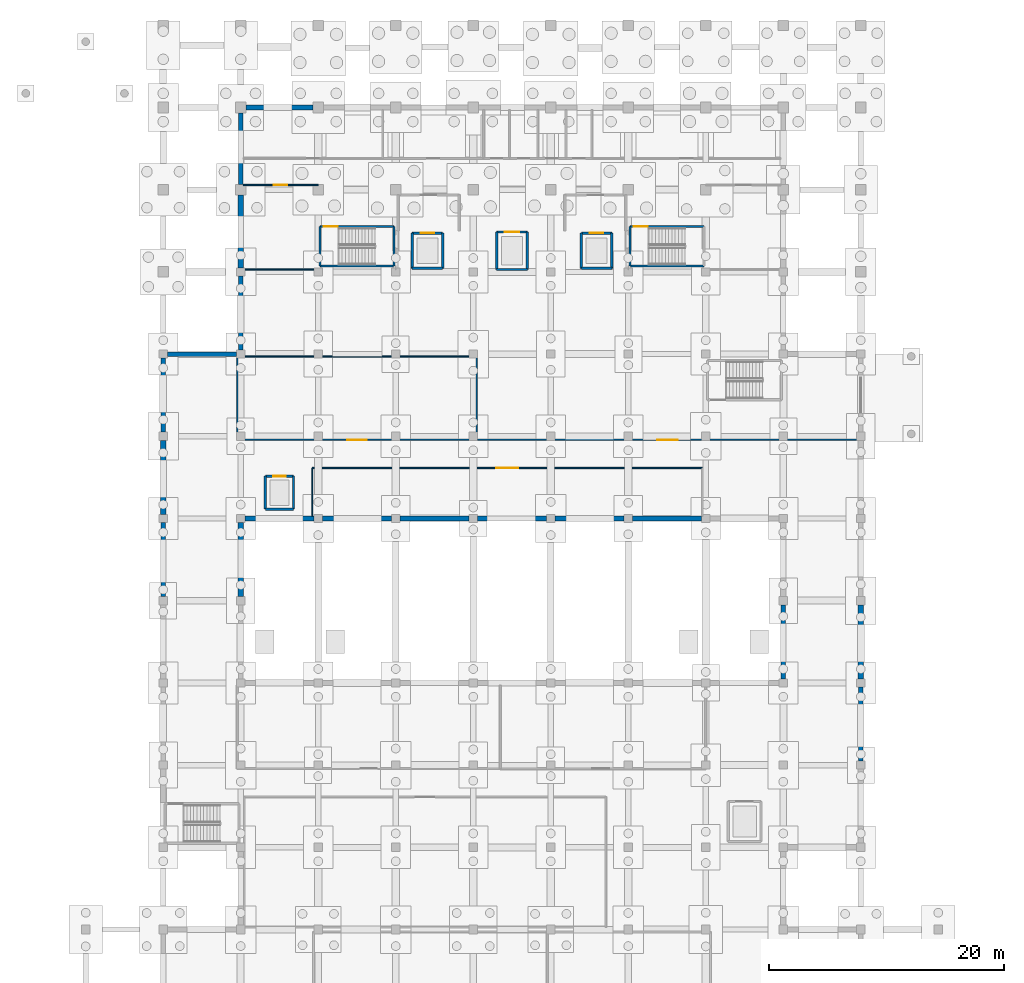
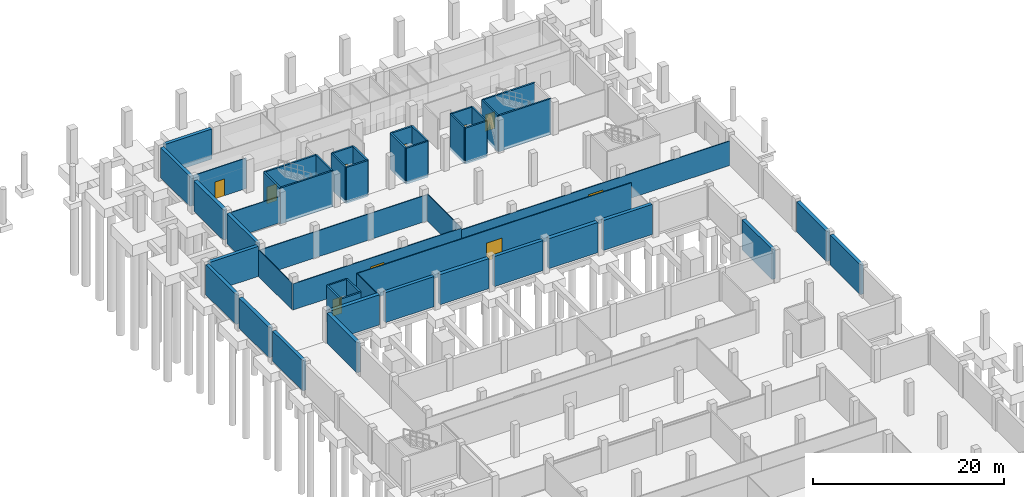
# One storey, part 18 of 27: 50 walls, 10 doors, 10 openings.
"""IFC4 building model written with IfcOpenShell, lengths in metres."""

import ifcopenshell
import ifcopenshell.guid

model = None  # the IFC model being written
_history = None  # IfcOwnerHistory: only IFC2X3 demands one
_inside = {}  # id of a spatial element -> (the spatial element, [elements in it])
_under = {}  # id of a project, library or spatial element -> (it, [spatial elements below it])
_declared = {}  # id of a project -> (the project, [libraries it declares])
_typed = {}  # id of a type object -> (the type object, [elements of that type])
_made_of = {}  # id of a material, layer set ... -> (it, [elements and type objects made of it])


def new_model(schema):
    """Start an empty IFC model of exactly this schema.

    Asked for "IFC4X3", IfcOpenShell would pick the latest addendum, in which some entities
    have other attributes; the version numbers below select the first issue.
    IFC2X3 requires an IfcOwnerHistory on every rooted entity: one is made here for all.
    """
    global model, _history
    if schema == "IFC4X3":
        model = ifcopenshell.file(schema_version=(4, 3, 0, 0))
    else:
        model = ifcopenshell.file(schema=schema)
    _inside.clear()
    _under.clear()
    _declared.clear()
    _typed.clear()
    _made_of.clear()
    _history = None
    if model.schema == "IFC2X3":
        org = make("IfcOrganization", Name="unknown")
        user = make(
            "IfcPersonAndOrganization",
            ThePerson=make("IfcPerson", FamilyName="unknown"),
            TheOrganization=org,
        )
        app = make(
            "IfcApplication",
            ApplicationDeveloper=org,
            Version="unknown",
            ApplicationFullName="unknown",
            ApplicationIdentifier="unknown",
        )
        _history = make(
            "IfcOwnerHistory",
            OwningUser=user,
            OwningApplication=app,
            ChangeAction="ADDED",
            CreationDate=0,
        )
    return model


def make(cls, **values):
    """One entity of the class cls with the attributes given. An attribute that is None is left unset."""
    return model.create_entity(
        cls, **{name: value for name, value in values.items() if value is not None}
    )


def rooted(cls, **values):
    """An entity with a GlobalId (a new one), such as an element, a storey or a relation."""
    return make(cls, GlobalId=ifcopenshell.guid.new(), OwnerHistory=_history, **values)


def si_unit(unit_type, name, prefix=None):
    """IfcSIUnit, for example si_unit("LENGTHUNIT", "METRE", prefix="MILLI")."""
    return make("IfcSIUnit", UnitType=unit_type, Prefix=prefix, Name=name)


def assignment(units):
    """IfcUnitAssignment: the units of a project."""
    return None if units is None else make("IfcUnitAssignment", Units=units)


def point(xyz):
    """IfcCartesianPoint."""
    return None if xyz is None else make("IfcCartesianPoint", Coordinates=xyz)


def direction(xyz):
    """IfcDirection."""
    return None if xyz is None else make("IfcDirection", DirectionRatios=xyz)


def frame(location, z_axis=None, x_axis=None):
    """IfcAxis2Placement3D, a coordinate frame: its origin and axes. An axis left out is left unset."""
    return make(
        "IfcAxis2Placement3D",
        Location=point(location),
        Axis=direction(z_axis),
        RefDirection=direction(x_axis),
    )


def frame_2d(location, x_axis=None):
    """IfcAxis2Placement2D, a coordinate frame in the plane: its origin and x axis."""
    return make(
        "IfcAxis2Placement2D", Location=point(location), RefDirection=direction(x_axis)
    )


def origin():
    """The frame at (0, 0, 0) with its axes left unset."""
    return frame((0.0, 0.0, 0.0))


def place(relative_to, where):
    """IfcLocalPlacement: puts the frame where relative to a parent placement (None: the world)."""
    return make(
        "IfcLocalPlacement", PlacementRelTo=relative_to, RelativePlacement=where
    )


def context(
    kind, dimensions, precision=None, world=None, true_north=None, identifier=None
):
    """IfcGeometricRepresentationContext, for example the 3D "Model" context."""
    return make(
        "IfcGeometricRepresentationContext",
        ContextIdentifier=identifier,
        ContextType=kind,
        CoordinateSpaceDimension=dimensions,
        Precision=precision,
        WorldCoordinateSystem=world,
        TrueNorth=true_north,
    )


def subcontext(parent, identifier, kind, view, scale=None):
    """IfcGeometricRepresentationSubContext, for example "Body" below "Model"."""
    return make(
        "IfcGeometricRepresentationSubContext",
        ContextIdentifier=identifier,
        ContextType=kind,
        ParentContext=parent,
        TargetScale=scale,
        TargetView=view,
    )


def project(units=None, contexts=None):
    """IfcProject with its units and contexts."""
    return rooted(
        "IfcProject",
        Name="project",
        RepresentationContexts=contexts,
        UnitsInContext=assignment(units),
    )


def spatial(cls, under=None, at=None, **own):
    """A site, building, storey or space (cls), placed at a placement, below another one or the project."""
    s = rooted(cls, ObjectPlacement=at, **own)
    if under is not None:
        _under.setdefault(under.id(), (under, []))[1].append(s)
    return s


def profile(cls, at=None, kind="AREA", **sizes):
    """A parametric profile (cls). Its sizes go by their IFC names, for example OverallWidth=200.0."""
    return make(cls, ProfileType=kind, Position=at, **sizes)


def rectangle(**sizes):
    """IfcRectangleProfileDef."""
    return profile("IfcRectangleProfileDef", **sizes)


def extrude(swept, where, along, depth):
    """IfcExtrudedAreaSolid: the profile swept, set in the frame where, extruded along a direction by depth."""
    return make(
        "IfcExtrudedAreaSolid",
        SweptArea=swept,
        Position=where,
        ExtrudedDirection=direction(along),
        Depth=depth,
    )


def shape(context_of_items, identifier, shape_type, items):
    """IfcShapeRepresentation: the items that make up one representation, for example the "Body"."""
    return make(
        "IfcShapeRepresentation",
        ContextOfItems=context_of_items,
        RepresentationIdentifier=identifier,
        RepresentationType=shape_type,
        Items=items,
    )


def material(Name=None, Category=None):
    """IfcMaterial."""
    return make("IfcMaterial", Name=Name, Category=Category)


def layer(
    of_material, thickness, ventilated=None, Name=None, Category=None, Priority=None
):
    """IfcMaterialLayer: one layer of a wall or slab, of a material (None: an air gap)."""
    return make(
        "IfcMaterialLayer",
        Material=of_material,
        LayerThickness=thickness,
        IsVentilated=ventilated,
        Name=Name,
        Category=Category,
        Priority=Priority,
    )


def layer_set(layers, Name=None):
    """IfcMaterialLayerSet."""
    return make("IfcMaterialLayerSet", MaterialLayers=layers, LayerSetName=Name)


def made_of(thing, what):
    """Note that an element or type object is made of a material, layer set ...; save() writes the relation."""
    if what is not None:
        _made_of.setdefault(what.id(), (what, []))[1].append(thing)
    return thing


def type_object(cls, material=None, **own):
    """A type object (cls), such as IfcWallType, which elements share."""
    return made_of(rooted(cls, **own), material)


def element(
    cls,
    number,
    at=None,
    inside=None,
    cuts=None,
    type_object=None,
    material=None,
    context=None,
    identifier="Body",
    shape_type=None,
    held_by="IfcProductDefinitionShape",
    body=None,
    shapes=None,
    **own,
):
    """One element of the class cls, such as IfcWall. Its Tag is "e" and its number.

    at: its placement. inside: the storey or other place that contains it. cuts: it is an
    opening in that element (IfcRelVoidsElement). A single representation is given by context,
    identifier, shape_type and body (its items); several are given by shapes. held_by: the class
    of the entity that holds the representations. save() writes the other relations.
    """
    e = rooted(cls, Tag="e%d" % number, ObjectPlacement=at, **own)
    if body is not None:
        shapes = [shape(context, identifier, shape_type, body)]
    if shapes is not None:
        e.Representation = make(held_by, Representations=shapes)
    if inside is not None:
        _inside.setdefault(inside.id(), (inside, []))[1].append(e)
    if cuts is not None:
        rooted(
            "IfcRelVoidsElement", RelatingBuildingElement=cuts, RelatedOpeningElement=e
        )
    if type_object is not None:
        _typed.setdefault(type_object.id(), (type_object, []))[1].append(e)
    return made_of(e, material)


def fill(opening, filler):
    """IfcRelFillsElement: the door or window that sits in an opening."""
    return rooted(
        "IfcRelFillsElement",
        RelatingOpeningElement=opening,
        RelatedBuildingElement=filler,
    )


def aggregate(whole, parts):
    """IfcRelAggregates: a whole, such as a stair, and the parts it consists of."""
    return rooted("IfcRelAggregates", RelatingObject=whole, RelatedObjects=parts)


def save(model, path):
    """Write the relations noted so far, then the file.

    IfcRelAggregates (storeys below a building ...), IfcRelContainedInSpatialStructure (elements
    in a storey), IfcRelDefinesByType, IfcRelAssociatesMaterial and IfcRelDeclares: one each for
    every whole, place, type object, material and project.
    """
    for whole, parts in _under.values():
        aggregate(whole, parts)
    for where, things in _inside.values():
        rooted(
            "IfcRelContainedInSpatialStructure",
            RelatedElements=things,
            RelatingStructure=where,
        )
    for kind, things in _typed.values():
        rooted("IfcRelDefinesByType", RelatedObjects=things, RelatingType=kind)
    for what, things in _made_of.values():
        rooted("IfcRelAssociatesMaterial", RelatedObjects=things, RelatingMaterial=what)
    for by, libraries in _declared.values():
        rooted("IfcRelDeclares", RelatingContext=by, RelatedDefinitions=libraries)
    model.write(path)


model = new_model("IFC4")

# Units and contexts
model_context = context("Model", 3, precision=1e-05, world=origin(), true_north=direction((0.0, 1.0)))
body_context = subcontext(model_context, "Body", "Model", "MODEL_VIEW")
ifc_project = project(units=[si_unit("LENGTHUNIT", "METRE"), si_unit("AREAUNIT", "SQUARE_METRE"), si_unit("VOLUMEUNIT", "CUBIC_METRE"), si_unit("PLANEANGLEUNIT", "RADIAN"), si_unit("MASSUNIT", "GRAM", prefix="KILO")], contexts=[model_context])

# Site, building, storey
site_placement = place(None, origin())
site = spatial("IfcSite", under=ifc_project, at=site_placement, CompositionType="ELEMENT")
building_placement = place(site_placement, origin())
building = spatial("IfcBuilding", under=site, at=building_placement, Name="Ciguamira Faculty of Natural Sciences", CompositionType="ELEMENT")
storey_placement = place(building_placement, frame((0.0, 0.0, -4.199951171875)))
storey = spatial("IfcBuildingStorey", under=building, at=storey_placement, Name="B1", CompositionType="ELEMENT", Elevation=-4.199951171875)

# Walls
ifc_material_1 = material(Name="Concrete C40/50", Category="concrete")
ifc_layer_1 = layer(ifc_material_1, 0.449951171875, Name="Concrete C40/50")
ifc_layer_set_1 = layer_set([ifc_layer_1], Name="Concrete C40/50")
wall_type_1 = type_object("IfcWallType", Name="ExtWall_RW-01_450", PredefinedType="SHEAR", material=ifc_layer_set_1)
wall_1_placement = place(storey_placement, frame((64.25, 73.0, 0.0), z_axis=(0.0, 0.0, 1.0), x_axis=(1.0, 0.0, 0.0)))
element("IfcWall", 1, at=wall_1_placement, inside=storey, type_object=wall_type_1, Name="B1 exterior wall 0018", PredefinedType="SHEAR", context=body_context, shape_type="SweptSolid", body=[
    extrude(rectangle(XDim=5.89990234375, YDim=0.449951171875, at=frame_2d((2.949951171875, 0.0))), origin(), (0.0, 0.0, 1.0), 3.849853515625),
])
for number, where, z_axis, x_axis, name in (
    (2, (77.449951171875, 73.0, 0.0), (0.0, 0.0, 1.0), (1.0, 0.0, 0.0), "B1 exterior wall 0020"),
    (3, (90.64990234375, 73.0, 0.0), (0.0, 0.0, 1.0), (1.0, 0.0, 0.0), "B1 exterior wall 0022"),
):
    element("IfcWall", number, at=place(storey_placement, frame(where, z_axis=z_axis, x_axis=x_axis)), inside=storey, type_object=wall_type_1, Name=name, PredefinedType="SHEAR", context=body_context, shape_type="SweptSolid", body=[
        extrude(rectangle(XDim=5.900146484375, YDim=0.449951171875, at=frame_2d((2.9501953125, 0.0))), origin(), (0.0, 0.0, 1.0), 3.849853515625),
    ])
for number, where, z_axis, x_axis, name in (
    (4, (57.300048828125, 73.35009765625, 0.0), (0.0, 0.0, 1.0), (0.0, 1.0, 0.0), "B1 exterior wall 0042"),
    (5, (63.89990234375, 66.35009765625, 0.0), (0.0, 0.0, 1.0), (0.0, 1.0, 0.0), "B1 exterior wall 0046"),
):
    element("IfcWall", number, at=place(storey_placement, frame(where, z_axis=z_axis, x_axis=x_axis)), inside=storey, type_object=wall_type_1, Name=name, PredefinedType="SHEAR", context=body_context, shape_type="SweptSolid", body=[
        extrude(rectangle(XDim=6.2998046875, YDim=0.449951171875, at=frame_2d((3.14990234375, 0.0))), origin(), (0.0, 0.0, 1.0), 3.849853515625),
    ])
wall_2_placement = place(storey_placement, frame((63.89990234375, 94.35009765625, 0.0), z_axis=(0.0, 0.0, 1.0), x_axis=(0.0, 1.0, 0.0)))
element("IfcWall", 6, at=wall_2_placement, inside=storey, type_object=wall_type_1, Name="B1 exterior wall 0048", PredefinedType="SHEAR", context=body_context, shape_type="SweptSolid", body=[
    extrude(rectangle(XDim=6.199951171875, YDim=0.449951171875, at=frame_2d((3.10009765625, 0.0))), origin(), (0.0, 0.0, 1.0), 3.849853515625),
])
wall_3_placement = place(storey_placement, frame((116.699951171875, 59.35009765625, 0.0), z_axis=(0.0, 0.0, 1.0), x_axis=(0.0, 1.0, 0.0)))
element("IfcWall", 7, at=wall_3_placement, inside=storey, type_object=wall_type_1, Name="B1 exterior wall 0062", PredefinedType="SHEAR", context=body_context, shape_type="SweptSolid", body=[
    extrude(rectangle(XDim=6.2998046875, YDim=0.449951171875, at=frame_2d((3.14990234375, 0.0))), origin(), (0.0, 0.0, 1.0), 3.849853515625),
])
ifc_layer_2 = layer(ifc_material_1, 0.39990234375, Name="Concrete C40/50")
ifc_layer_set_2 = layer_set([ifc_layer_2], Name="Concrete C40/50")
wall_type_2 = type_object("IfcWallType", Name="ExtWall_RW-02_400", PredefinedType="SHEAR", material=ifc_layer_set_2)
for number, where, z_axis, x_axis, name in (
    (8, (70.85009765625, 73.0, 0.0), (0.0, 0.0, 1.0), (1.0, 0.0, 0.0), "B1 exterior wall 0019"),
    (9, (84.050048828125, 73.0, 0.0), (0.0, 0.0, 1.0), (1.0, 0.0, 0.0), "B1 exterior wall 0021"),
    (10, (97.25, 73.0, 0.0), (0.0, 0.0, 1.0), (1.0, 0.0, 0.0), "B1 exterior wall 0023"),
):
    element("IfcWall", number, at=place(storey_placement, frame(where, z_axis=z_axis, x_axis=x_axis)), inside=storey, type_object=wall_type_2, Name=name, PredefinedType="SHEAR", context=body_context, shape_type="SweptSolid", body=[
        extrude(rectangle(XDim=5.89990234375, YDim=0.39990234375, at=frame_2d((2.949951171875, 0.0))), origin(), (0.0, 0.0, 1.0), 3.849853515625),
    ])
wall_4_placement = place(storey_placement, frame((57.64990234375, 87.0, 0.0), z_axis=(0.0, 0.0, 1.0), x_axis=(1.0, 0.0, 0.0)))
element("IfcWall", 11, at=wall_4_placement, inside=storey, type_object=wall_type_2, Name="B1 exterior wall 0025", PredefinedType="SHEAR", context=body_context, shape_type="SweptSolid", body=[
    extrude(rectangle(XDim=5.900146484375, YDim=0.39990234375, at=frame_2d((2.9501953125, 0.0))), origin(), (0.0, 0.0, 1.0), 3.849853515625),
])
wall_5_placement = place(storey_placement, frame((64.35009765625, 108.0, 0.0), z_axis=(0.0, 0.0, 1.0), x_axis=(1.0, 0.0, 0.0)))
element("IfcWall", 12, at=wall_5_placement, inside=storey, type_object=wall_type_2, Name="B1 exterior wall 0027", PredefinedType="SHEAR", context=body_context, shape_type="SweptSolid", body=[
    extrude(rectangle(XDim=5.699951171875, YDim=0.39990234375, at=frame_2d((2.85009765625, 0.0))), origin(), (0.0, 0.0, 1.0), 3.849853515625),
])
for number, where, z_axis, x_axis, name in (
    (13, (57.300048828125, 66.35009765625, 0.0), (0.0, 0.0, 1.0), (0.0, 1.0, 0.0), "B1 exterior wall 0041"),
    (14, (57.300048828125, 80.35009765625, 0.0), (0.0, 0.0, 1.0), (0.0, 1.0, 0.0), "B1 exterior wall 0043"),
    (15, (63.89990234375, 87.35009765625, 0.0), (0.0, 0.0, 1.0), (0.0, 1.0, 0.0), "B1 exterior wall 0047"),
):
    element("IfcWall", number, at=place(storey_placement, frame(where, z_axis=z_axis, x_axis=x_axis)), inside=storey, type_object=wall_type_2, Name=name, PredefinedType="SHEAR", context=body_context, shape_type="SweptSolid", body=[
        extrude(rectangle(XDim=6.2998046875, YDim=0.39990234375, at=frame_2d((3.14990234375, 0.0))), origin(), (0.0, 0.0, 1.0), 3.849853515625),
    ])
wall_6_placement = place(storey_placement, frame((63.89990234375, 101.449951171875, 0.0), z_axis=(0.0, 0.0, 1.0), x_axis=(0.0, 1.0, 0.0)))
element("IfcWall", 16, at=wall_6_placement, inside=storey, type_object=wall_type_2, Name="B1 exterior wall 0049", PredefinedType="SHEAR", context=body_context, shape_type="SweptSolid", body=[
    extrude(rectangle(XDim=6.10009765625, YDim=0.39990234375, at=frame_2d((3.050048828125, 0.0))), origin(), (0.0, 0.0, 1.0), 3.849853515625),
])
for number, where, z_axis, x_axis, name in (
    (17, (110.10009765625, 59.35009765625, 0.0), (0.0, 0.0, 1.0), (0.0, 1.0, 0.0), "B1 exterior wall 0051"),
    (18, (116.699951171875, 52.35009765625, 0.0), (0.0, 0.0, 1.0), (0.0, 1.0, 0.0), "B1 exterior wall 0061"),
):
    element("IfcWall", number, at=place(storey_placement, frame(where, z_axis=z_axis, x_axis=x_axis)), inside=storey, type_object=wall_type_2, Name=name, PredefinedType="SHEAR", context=body_context, shape_type="SweptSolid", body=[
        extrude(rectangle(XDim=6.2998046875, YDim=0.39990234375, at=frame_2d((3.14990234375, 0.0))), origin(), (0.0, 0.0, 1.0), 3.849853515625),
    ])
ifc_layer_3 = layer(ifc_material_1, 0.199951171875, Name="Concrete C40/50")
ifc_layer_set_3 = layer_set([ifc_layer_3], Name="Concrete C40/50")
wall_type_3 = type_object("IfcWallType", Name="IntWall_CW-S20_200", PredefinedType="SHEAR", material=ifc_layer_set_3)
wall_7_placement = place(storey_placement, frame((70.64990234375, 94.5, -0.400146484375), z_axis=(0.0, 0.0, 1.0), x_axis=(1.0, 0.0, 0.0)))
element("IfcWall", 19, at=wall_7_placement, inside=storey, type_object=wall_type_3, Name="B1 ST-T1 core shear wall south", PredefinedType="SHEAR", context=body_context, shape_type="SweptSolid", body=[
    extrude(rectangle(XDim=6.300048828125, YDim=0.199951171875, at=frame_2d((3.14990234375, 0.0))), origin(), (0.0, 0.0, 1.0), 4.60009765625),
])

# Wall, opening, door
wall_8_placement = place(storey_placement, frame((70.64990234375, 97.860107421875, -0.400146484375), z_axis=(0.0, 0.0, 1.0), x_axis=(1.0, 0.0, 0.0)))
wall_8 = element("IfcWall", 20, at=wall_8_placement, inside=storey, type_object=wall_type_3, Name="B1 ST-T1 core shear wall north", PredefinedType="SHEAR", context=body_context, shape_type="SweptSolid", body=[
    extrude(rectangle(XDim=6.300048828125, YDim=0.199951171875, at=frame_2d((3.14990234375, 0.0))), origin(), (0.0, 0.0, 1.0), 4.60009765625),
])
opening_1_placement = place(wall_8_placement, frame((0.320068359375, 0.0, 0.39990234375)))
opening_1 = element("IfcOpeningElement", 21, at=opening_1_placement, cuts=wall_8, Name="Opening ID-14", PredefinedType="OPENING", context=body_context, shape_type="SweptSolid", body=[
    extrude(rectangle(XDim=1.199951171875, YDim=2.14990234375, at=frame_2d((0.60009765625, 1.074951171875))), frame((0.0, 0.10986328125, 0.0), z_axis=(0.0, -1.0, 0.0), x_axis=(1.0, 0.0, 0.0)), (0.0, 0.0, 1.0), 0.219970703125),
])
ifc_material_2 = material(Name="Protected exit stair fire door")
door_type_1 = type_object("IfcDoorType", Name="IntDoor_ID-14_1200x2150", OperationType="NOTDEFINED", PredefinedType="DOOR", material=ifc_material_2)
door_1_placement = place(opening_1_placement, frame((1.199951171875, 0.0, 0.0), z_axis=(0.0, 0.0, 1.0), x_axis=(-1.0, 0.0, 0.0)))
door_1 = element("IfcDoor", 22, at=door_1_placement, inside=storey, type_object=door_type_1, Name="B1 ST-T1 exit stair fire door", OperationType="SINGLE_SWING_LEFT", OverallHeight=2.14990234375, OverallWidth=1.199951171875, PredefinedType="DOOR", context=body_context, shape_type="SweptSolid", body=[
    extrude(rectangle(XDim=1.199951171875, YDim=2.14990234375, at=frame_2d((0.60009765625, 1.074951171875))), frame((0.0, 0.02490234375, 0.0), z_axis=(0.0, -1.0, 0.0), x_axis=(1.0, 0.0, 0.0)), (0.0, 0.0, 1.0), 0.050048828125),
])
fill(opening_1, door_1)

# Walls
for number, where, z_axis, x_axis, name in (
    (23, (70.64990234375, 94.5, -0.400146484375), (0.0, 0.0, 1.0), (0.0, 1.0, 0.0), "B1 ST-T1 core shear wall west"),
    (24, (76.949951171875, 94.5, -0.400146484375), (0.0, 0.0, 1.0), (0.0, 1.0, 0.0), "B1 ST-T1 core shear wall east"),
):
    element("IfcWall", number, at=place(storey_placement, frame(where, z_axis=z_axis, x_axis=x_axis)), inside=storey, type_object=wall_type_3, Name=name, PredefinedType="SHEAR", context=body_context, shape_type="SweptSolid", body=[
        extrude(rectangle(XDim=3.360107421875, YDim=0.199951171875, at=frame_2d((1.68017578125, 0.0))), origin(), (0.0, 0.0, 1.0), 4.60009765625),
    ])
wall_9_placement = place(storey_placement, frame((97.050048828125, 94.5, -0.400146484375), z_axis=(0.0, 0.0, 1.0), x_axis=(1.0, 0.0, 0.0)))
element("IfcWall", 25, at=wall_9_placement, inside=storey, type_object=wall_type_3, Name="B1 ST-T2 core shear wall south", PredefinedType="SHEAR", context=body_context, shape_type="SweptSolid", body=[
    extrude(rectangle(XDim=6.300048828125, YDim=0.199951171875, at=frame_2d((3.14990234375, 0.0))), origin(), (0.0, 0.0, 1.0), 4.60009765625),
])

# Wall, opening, door
wall_10_placement = place(storey_placement, frame((97.050048828125, 97.860107421875, -0.400146484375), z_axis=(0.0, 0.0, 1.0), x_axis=(1.0, 0.0, 0.0)))
wall_10 = element("IfcWall", 26, at=wall_10_placement, inside=storey, type_object=wall_type_3, Name="B1 ST-T2 core shear wall north", PredefinedType="SHEAR", context=body_context, shape_type="SweptSolid", body=[
    extrude(rectangle(XDim=6.300048828125, YDim=0.199951171875, at=frame_2d((3.14990234375, 0.0))), origin(), (0.0, 0.0, 1.0), 4.60009765625),
])
opening_2_placement = place(wall_10_placement, frame((0.320068359375, 0.0, 0.39990234375)))
opening_2 = element("IfcOpeningElement", 27, at=opening_2_placement, cuts=wall_10, Name="Opening ID-14", PredefinedType="OPENING", context=body_context, shape_type="SweptSolid", body=[
    extrude(rectangle(XDim=1.199951171875, YDim=2.14990234375, at=frame_2d((0.60009765625, 1.074951171875))), frame((0.0, 0.10986328125, 0.0), z_axis=(0.0, -1.0, 0.0), x_axis=(1.0, 0.0, 0.0)), (0.0, 0.0, 1.0), 0.219970703125),
])
door_2_placement = place(opening_2_placement, frame((1.199951171875, 0.0, 0.0), z_axis=(0.0, 0.0, 1.0), x_axis=(-1.0, 0.0, 0.0)))
door_2 = element("IfcDoor", 28, at=door_2_placement, inside=storey, type_object=door_type_1, Name="B1 ST-T2 exit stair fire door", OperationType="SINGLE_SWING_RIGHT", OverallHeight=2.14990234375, OverallWidth=1.199951171875, PredefinedType="DOOR", context=body_context, shape_type="SweptSolid", body=[
    extrude(rectangle(XDim=1.199951171875, YDim=2.14990234375, at=frame_2d((0.60009765625, 1.074951171875))), frame((0.0, 0.02490234375, 0.0), z_axis=(0.0, -1.0, 0.0), x_axis=(1.0, 0.0, 0.0)), (0.0, 0.0, 1.0), 0.050048828125),
])
fill(opening_2, door_2)

# Walls
wall_11_placement = place(storey_placement, frame((97.050048828125, 94.5, -0.400146484375), z_axis=(0.0, 0.0, 1.0), x_axis=(0.0, 1.0, 0.0)))
element("IfcWall", 29, at=wall_11_placement, inside=storey, type_object=wall_type_3, Name="B1 ST-T2 core shear wall west", PredefinedType="SHEAR", context=body_context, shape_type="SweptSolid", body=[
    extrude(rectangle(XDim=3.360107421875, YDim=0.199951171875, at=frame_2d((1.68017578125, 0.0))), origin(), (0.0, 0.0, 1.0), 4.60009765625),
])
wall_12_placement = place(storey_placement, frame((78.5, 94.300048828125, -0.400146484375), z_axis=(0.0, 0.0, 1.0), x_axis=(1.0, 0.0, 0.0)))
element("IfcWall", 30, at=wall_12_placement, inside=storey, type_object=wall_type_3, Name="B1 EL-FF1 hoistway wall south", PredefinedType="SHEAR", context=body_context, shape_type="SweptSolid", body=[
    extrude(rectangle(XDim=2.60009765625, YDim=0.199951171875, at=frame_2d((1.300048828125, 0.0))), origin(), (0.0, 0.0, 1.0), 4.60009765625),
])

# Wall, opening, door
wall_13_placement = place(storey_placement, frame((78.5, 97.300048828125, -0.400146484375), z_axis=(0.0, 0.0, 1.0), x_axis=(1.0, 0.0, 0.0)))
wall_13 = element("IfcWall", 31, at=wall_13_placement, inside=storey, type_object=wall_type_3, Name="B1 EL-FF1 hoistway wall north", PredefinedType="SHEAR", context=body_context, shape_type="SweptSolid", body=[
    extrude(rectangle(XDim=2.60009765625, YDim=0.199951171875, at=frame_2d((1.300048828125, 0.0))), origin(), (0.0, 0.0, 1.0), 4.60009765625),
])
opening_3_placement = place(wall_13_placement, frame((0.72509765625, 0.0, 0.39990234375)))
opening_3 = element("IfcOpeningElement", 32, at=opening_3_placement, cuts=wall_13, Name="Opening LD-03", PredefinedType="OPENING", context=body_context, shape_type="SweptSolid", body=[
    extrude(rectangle(XDim=1.14990234375, YDim=2.199951171875, at=frame_2d((0.574951171875, 1.10009765625))), frame((0.0, 0.10986328125, 0.0), z_axis=(0.0, -1.0, 0.0), x_axis=(1.0, 0.0, 0.0)), (0.0, 0.0, 1.0), 0.219970703125),
])
ifc_material_3 = material(Name="Firefighting lift sliding landing door")
door_type_2 = type_object("IfcDoorType", Name="LiftLandingDoor_LD-03_1150x2200", OperationType="SLIDING_TO_LEFT", PredefinedType="DOOR", material=ifc_material_3)
door_3_placement = place(opening_3_placement, origin())
door_3 = element("IfcDoor", 33, at=door_3_placement, inside=storey, type_object=door_type_2, Name="B1 EL-FF1 elevator landing sliding door", OperationType="SLIDING_TO_LEFT", OverallHeight=2.199951171875, OverallWidth=1.14990234375, PredefinedType="DOOR", context=body_context, shape_type="SweptSolid", body=[
    extrude(rectangle(XDim=1.14990234375, YDim=2.199951171875, at=frame_2d((0.574951171875, 1.10009765625))), frame((0.0, 0.02490234375, 0.0), z_axis=(0.0, -1.0, 0.0), x_axis=(1.0, 0.0, 0.0)), (0.0, 0.0, 1.0), 0.050048828125),
])
fill(opening_3, door_3)

# Walls
for number, where, z_axis, x_axis, name in (
    (34, (78.5, 94.300048828125, -0.400146484375), (0.0, 0.0, 1.0), (0.0, 1.0, 0.0), "B1 EL-FF1 hoistway wall west"),
    (35, (81.10009765625, 94.300048828125, -0.400146484375), (0.0, 0.0, 1.0), (0.0, 1.0, 0.0), "B1 EL-FF1 hoistway wall east"),
):
    element("IfcWall", number, at=place(storey_placement, frame(where, z_axis=z_axis, x_axis=x_axis)), inside=storey, type_object=wall_type_3, Name=name, PredefinedType="SHEAR", context=body_context, shape_type="SweptSolid", body=[
        extrude(rectangle(XDim=3.0, YDim=0.199951171875, at=frame_2d((1.5, 0.0))), origin(), (0.0, 0.0, 1.0), 4.60009765625),
    ])
wall_14_placement = place(storey_placement, frame((92.89990234375, 94.300048828125, -0.400146484375), z_axis=(0.0, 0.0, 1.0), x_axis=(1.0, 0.0, 0.0)))
element("IfcWall", 36, at=wall_14_placement, inside=storey, type_object=wall_type_3, Name="B1 EL-FF2 hoistway wall south", PredefinedType="SHEAR", context=body_context, shape_type="SweptSolid", body=[
    extrude(rectangle(XDim=2.60009765625, YDim=0.199951171875, at=frame_2d((1.300048828125, 0.0))), origin(), (0.0, 0.0, 1.0), 4.60009765625),
])

# Wall, opening, door
wall_15_placement = place(storey_placement, frame((92.89990234375, 97.300048828125, -0.400146484375), z_axis=(0.0, 0.0, 1.0), x_axis=(1.0, 0.0, 0.0)))
wall_15 = element("IfcWall", 37, at=wall_15_placement, inside=storey, type_object=wall_type_3, Name="B1 EL-FF2 hoistway wall north", PredefinedType="SHEAR", context=body_context, shape_type="SweptSolid", body=[
    extrude(rectangle(XDim=2.60009765625, YDim=0.199951171875, at=frame_2d((1.300048828125, 0.0))), origin(), (0.0, 0.0, 1.0), 4.60009765625),
])
opening_4_placement = place(wall_15_placement, frame((0.72509765625, 0.0, 0.39990234375)))
opening_4 = element("IfcOpeningElement", 38, at=opening_4_placement, cuts=wall_15, Name="Opening LD-03", PredefinedType="OPENING", context=body_context, shape_type="SweptSolid", body=[
    extrude(rectangle(XDim=1.14990234375, YDim=2.199951171875, at=frame_2d((0.574951171875, 1.10009765625))), frame((0.0, 0.10986328125, 0.0), z_axis=(0.0, -1.0, 0.0), x_axis=(1.0, 0.0, 0.0)), (0.0, 0.0, 1.0), 0.219970703125),
])
door_4_placement = place(opening_4_placement, origin())
door_4 = element("IfcDoor", 39, at=door_4_placement, inside=storey, type_object=door_type_2, Name="B1 EL-FF2 elevator landing sliding door", OperationType="SLIDING_TO_LEFT", OverallHeight=2.199951171875, OverallWidth=1.14990234375, PredefinedType="DOOR", context=body_context, shape_type="SweptSolid", body=[
    extrude(rectangle(XDim=1.14990234375, YDim=2.199951171875, at=frame_2d((0.574951171875, 1.10009765625))), frame((0.0, 0.02490234375, 0.0), z_axis=(0.0, -1.0, 0.0), x_axis=(1.0, 0.0, 0.0)), (0.0, 0.0, 1.0), 0.050048828125),
])
fill(opening_4, door_4)

# Walls
for number, where, z_axis, x_axis, name in (
    (40, (92.89990234375, 94.300048828125, -0.400146484375), (0.0, 0.0, 1.0), (0.0, 1.0, 0.0), "B1 EL-FF2 hoistway wall west"),
    (41, (95.5, 94.300048828125, -0.400146484375), (0.0, 0.0, 1.0), (0.0, 1.0, 0.0), "B1 EL-FF2 hoistway wall east"),
):
    element("IfcWall", number, at=place(storey_placement, frame(where, z_axis=z_axis, x_axis=x_axis)), inside=storey, type_object=wall_type_3, Name=name, PredefinedType="SHEAR", context=body_context, shape_type="SweptSolid", body=[
        extrude(rectangle(XDim=3.0, YDim=0.199951171875, at=frame_2d((1.5, 0.0))), origin(), (0.0, 0.0, 1.0), 4.60009765625),
    ])
wall_16_placement = place(storey_placement, frame((85.699951171875, 94.199951171875, -0.400146484375), z_axis=(0.0, 0.0, 1.0), x_axis=(1.0, 0.0, 0.0)))
element("IfcWall", 42, at=wall_16_placement, inside=storey, type_object=wall_type_3, Name="B1 EL-P1 hoistway wall south", PredefinedType="SHEAR", context=body_context, shape_type="SweptSolid", body=[
    extrude(rectangle(XDim=2.60009765625, YDim=0.199951171875, at=frame_2d((1.300048828125, 0.0))), origin(), (0.0, 0.0, 1.0), 4.60009765625),
])

# Wall, opening, door
wall_17_placement = place(storey_placement, frame((85.699951171875, 97.39990234375, -0.400146484375), z_axis=(0.0, 0.0, 1.0), x_axis=(1.0, 0.0, 0.0)))
wall_17 = element("IfcWall", 43, at=wall_17_placement, inside=storey, type_object=wall_type_3, Name="B1 EL-P1 hoistway wall north", PredefinedType="SHEAR", context=body_context, shape_type="SweptSolid", body=[
    extrude(rectangle(XDim=2.60009765625, YDim=0.199951171875, at=frame_2d((1.300048828125, 0.0))), origin(), (0.0, 0.0, 1.0), 4.60009765625),
])
opening_5_placement = place(wall_17_placement, frame((0.699951171875, 0.0, 0.39990234375)))
opening_5 = element("IfcOpeningElement", 44, at=opening_5_placement, cuts=wall_17, Name="Opening LD-02", PredefinedType="OPENING", context=body_context, shape_type="SweptSolid", body=[
    extrude(rectangle(XDim=1.199951171875, YDim=2.199951171875, at=frame_2d((0.60009765625, 1.10009765625))), frame((0.0, 0.10986328125, 0.0), z_axis=(0.0, -1.0, 0.0), x_axis=(1.0, 0.0, 0.0)), (0.0, 0.0, 1.0), 0.219970703125),
])
ifc_material_4 = material(Name="Stretcher elevator sliding landing door")
door_type_3 = type_object("IfcDoorType", Name="LiftLandingDoor_LD-02_1200x2200", OperationType="SLIDING_TO_LEFT", PredefinedType="DOOR", material=ifc_material_4)
door_5_placement = place(opening_5_placement, origin())
door_5 = element("IfcDoor", 45, at=door_5_placement, inside=storey, type_object=door_type_3, Name="B1 EL-P1 elevator landing sliding door", OperationType="SLIDING_TO_LEFT", OverallHeight=2.199951171875, OverallWidth=1.199951171875, PredefinedType="DOOR", context=body_context, shape_type="SweptSolid", body=[
    extrude(rectangle(XDim=1.199951171875, YDim=2.199951171875, at=frame_2d((0.60009765625, 1.10009765625))), frame((0.0, 0.02490234375, 0.0), z_axis=(0.0, -1.0, 0.0), x_axis=(1.0, 0.0, 0.0)), (0.0, 0.0, 1.0), 0.050048828125),
])
fill(opening_5, door_5)

# Walls
for number, where, z_axis, x_axis, name in (
    (46, (85.699951171875, 94.199951171875, -0.400146484375), (0.0, 0.0, 1.0), (0.0, 1.0, 0.0), "B1 EL-P1 hoistway wall west"),
    (47, (88.300048828125, 94.199951171875, -0.400146484375), (0.0, 0.0, 1.0), (0.0, 1.0, 0.0), "B1 EL-P1 hoistway wall east"),
):
    element("IfcWall", number, at=place(storey_placement, frame(where, z_axis=z_axis, x_axis=x_axis)), inside=storey, type_object=wall_type_3, Name=name, PredefinedType="SHEAR", context=body_context, shape_type="SweptSolid", body=[
        extrude(rectangle(XDim=3.199951171875, YDim=0.199951171875, at=frame_2d((1.60009765625, 0.0))), origin(), (0.0, 0.0, 1.0), 4.60009765625),
    ])
wall_18_placement = place(storey_placement, frame((66.0, 73.800048828125, -0.400146484375), z_axis=(0.0, 0.0, 1.0), x_axis=(1.0, 0.0, 0.0)))
element("IfcWall", 48, at=wall_18_placement, inside=storey, type_object=wall_type_3, Name="B1 EL-P4 hoistway wall south", PredefinedType="SHEAR", context=body_context, shape_type="SweptSolid", body=[
    extrude(rectangle(XDim=2.39990234375, YDim=0.199951171875, at=frame_2d((1.199951171875, 0.0))), origin(), (0.0, 0.0, 1.0), 4.60009765625),
])

# Wall, opening, door
wall_19_placement = place(storey_placement, frame((66.0, 76.60009765625, -0.400146484375), z_axis=(0.0, 0.0, 1.0), x_axis=(1.0, 0.0, 0.0)))
wall_19 = element("IfcWall", 49, at=wall_19_placement, inside=storey, type_object=wall_type_3, Name="B1 EL-P4 hoistway wall north", PredefinedType="SHEAR", context=body_context, shape_type="SweptSolid", body=[
    extrude(rectangle(XDim=2.39990234375, YDim=0.199951171875, at=frame_2d((1.199951171875, 0.0))), origin(), (0.0, 0.0, 1.0), 4.60009765625),
])
opening_6_placement = place(wall_19_placement, frame((0.64990234375, 0.0, 0.39990234375)))
opening_6 = element("IfcOpeningElement", 50, at=opening_6_placement, cuts=wall_19, Name="Opening LD-01", PredefinedType="OPENING", context=body_context, shape_type="SweptSolid", body=[
    extrude(rectangle(XDim=1.10009765625, YDim=2.14990234375, at=frame_2d((0.550048828125, 1.074951171875))), frame((0.0, 0.10986328125, 0.0), z_axis=(0.0, -1.0, 0.0), x_axis=(1.0, 0.0, 0.0)), (0.0, 0.0, 1.0), 0.219970703125),
])
ifc_material_5 = material(Name="Passenger elevator sliding landing door")
door_type_4 = type_object("IfcDoorType", Name="LiftLandingDoor_LD-01_1100x2150", OperationType="SLIDING_TO_LEFT", PredefinedType="DOOR", material=ifc_material_5)
door_6_placement = place(opening_6_placement, origin())
door_6 = element("IfcDoor", 51, at=door_6_placement, inside=storey, type_object=door_type_4, Name="B1 EL-P4 elevator landing sliding door", OperationType="SLIDING_TO_LEFT", OverallHeight=2.14990234375, OverallWidth=1.10009765625, PredefinedType="DOOR", context=body_context, shape_type="SweptSolid", body=[
    extrude(rectangle(XDim=1.10009765625, YDim=2.14990234375, at=frame_2d((0.550048828125, 1.074951171875))), frame((0.0, 0.02490234375, 0.0), z_axis=(0.0, -1.0, 0.0), x_axis=(1.0, 0.0, 0.0)), (0.0, 0.0, 1.0), 0.050048828125),
])
fill(opening_6, door_6)

# Walls
for number, where, z_axis, x_axis, name in (
    (52, (66.0, 73.800048828125, -0.400146484375), (0.0, 0.0, 1.0), (0.0, 1.0, 0.0), "B1 EL-P4 hoistway wall west"),
    (53, (68.39990234375, 73.800048828125, -0.400146484375), (0.0, 0.0, 1.0), (0.0, 1.0, 0.0), "B1 EL-P4 hoistway wall east"),
):
    element("IfcWall", number, at=place(storey_placement, frame(where, z_axis=z_axis, x_axis=x_axis)), inside=storey, type_object=wall_type_3, Name=name, PredefinedType="SHEAR", context=body_context, shape_type="SweptSolid", body=[
        extrude(rectangle(XDim=2.800048828125, YDim=0.199951171875, at=frame_2d((1.39990234375, 0.0))), origin(), (0.0, 0.0, 1.0), 4.60009765625),
    ])

# Wall, opening, door
ifc_material_6 = material(Name="Fire-rated gypsum partition")
ifc_layer_4 = layer(ifc_material_6, 0.10009765625, Name="Fire-rated gypsum partition")
ifc_layer_set_4 = layer_set([ifc_layer_4], Name="Fire-rated gypsum partition")
wall_type_4 = type_object("IfcWallType", Name="IntWall_IW-A10_100", PredefinedType="PARTITIONING", material=ifc_layer_set_4)
wall_20_placement = place(storey_placement, frame((63.60009765625, 79.699951171875, 0.0), z_axis=(0.0, 0.0, 1.0), x_axis=(1.0, 0.0, 0.0)))
wall_20 = element("IfcWall", 54, at=wall_20_placement, inside=storey, type_object=wall_type_4, Name="B1 Specimen Cold Storage Room partition south", PredefinedType="PARTITIONING", context=body_context, shape_type="SweptSolid", body=[
    extrude(rectangle(XDim=20.39990234375, YDim=0.10009765625, at=frame_2d((10.199951171875, 0.0))), origin(), (0.0, 0.0, 1.0), 3.344970703125),
])
opening_7_placement = place(wall_20_placement, frame((9.375, 0.0, 0.0)))
opening_7 = element("IfcOpeningElement", 55, at=opening_7_placement, cuts=wall_20, Name="Opening ID-10", PredefinedType="OPENING", context=body_context, shape_type="SweptSolid", body=[
    extrude(rectangle(XDim=1.64990234375, YDim=2.25, at=frame_2d((0.824951171875, 1.125))), frame((0.0, 0.06005859375, 0.0), z_axis=(0.0, -1.0, 0.0), x_axis=(1.0, 0.0, 0.0)), (0.0, 0.0, 1.0), 0.1201171875),
])
ifc_material_7 = material(Name="Reading hall double acoustic door")
door_type_5 = type_object("IfcDoorType", Name="IntDoor_ID-10_1650x2250", OperationType="NOTDEFINED", PredefinedType="DOOR", material=ifc_material_7)
door_7_placement = place(opening_7_placement, origin())
door_7 = element("IfcDoor", 56, at=door_7_placement, inside=storey, type_object=door_type_5, Name="B1 Specimen Cold Storage Room door", OperationType="SINGLE_SWING_RIGHT", OverallHeight=2.25, OverallWidth=1.64990234375, PredefinedType="DOOR", context=body_context, shape_type="SweptSolid", body=[
    extrude(rectangle(XDim=1.64990234375, YDim=2.25, at=frame_2d((0.824951171875, 1.125))), frame((0.0, 0.02490234375, 0.0), z_axis=(0.0, -1.0, 0.0), x_axis=(1.0, 0.0, 0.0)), (0.0, 0.0, 1.0), 0.050048828125),
])
fill(opening_7, door_7)

# Walls
wall_21_placement = place(storey_placement, frame((63.60009765625, 86.800048828125, 0.0), z_axis=(0.0, 0.0, 1.0), x_axis=(1.0, 0.0, 0.0)))
element("IfcWall", 57, at=wall_21_placement, inside=storey, type_object=wall_type_4, Name="B1 Specimen Cold Storage Room partition north", PredefinedType="PARTITIONING", context=body_context, shape_type="SweptSolid", body=[
    extrude(rectangle(XDim=20.39990234375, YDim=0.10009765625, at=frame_2d((10.199951171875, 0.0))), origin(), (0.0, 0.0, 1.0), 3.344970703125),
])
for number, where, z_axis, x_axis, name in (
    (58, (63.60009765625, 79.699951171875, 0.0), (0.0, 0.0, 1.0), (0.0, 1.0, 0.0), "B1 Specimen Cold Storage Room partition west"),
    (59, (84.0, 79.699951171875, 0.0), (0.0, 0.0, 1.0), (0.0, 1.0, 0.0), "B1 Specimen Cold Storage Room partition east"),
):
    element("IfcWall", number, at=place(storey_placement, frame(where, z_axis=z_axis, x_axis=x_axis)), inside=storey, type_object=wall_type_4, Name=name, PredefinedType="PARTITIONING", context=body_context, shape_type="SweptSolid", body=[
        extrude(rectangle(XDim=7.10009765625, YDim=0.10009765625, at=frame_2d((3.550048828125, 0.0))), origin(), (0.0, 0.0, 1.0), 3.425048828125),
    ])

# Wall, opening, door
wall_22_placement = place(storey_placement, frame((84.0, 79.699951171875, 0.0), z_axis=(0.0, 0.0, 1.0), x_axis=(1.0, 0.0, 0.0)))
wall_22 = element("IfcWall", 60, at=wall_22_placement, inside=storey, type_object=wall_type_4, Name="B1 Service Receiving and Loading Bay partition south", PredefinedType="PARTITIONING", context=body_context, shape_type="SweptSolid", body=[
    extrude(rectangle(XDim=32.5, YDim=0.10009765625, at=frame_2d((16.25, 0.0))), origin(), (0.0, 0.0, 1.0), 3.135009765625),
])
opening_8_placement = place(wall_22_placement, frame((15.375, 0.0, 0.0)))
opening_8 = element("IfcOpeningElement", 61, at=opening_8_placement, cuts=wall_22, Name="Opening ID-11", PredefinedType="OPENING", context=body_context, shape_type="SweptSolid", body=[
    extrude(rectangle(XDim=1.75, YDim=2.25, at=frame_2d((0.875, 1.125))), frame((0.0, 0.06005859375, 0.0), z_axis=(0.0, -1.0, 0.0), x_axis=(1.0, 0.0, 0.0)), (0.0, 0.0, 1.0), 0.1201171875),
])
ifc_material_8 = material(Name="Exhibition gallery double door")
door_type_6 = type_object("IfcDoorType", Name="IntDoor_ID-11_1750x2250", OperationType="NOTDEFINED", PredefinedType="DOOR", material=ifc_material_8)
door_8_placement = place(opening_8_placement, origin())
door_8 = element("IfcDoor", 62, at=door_8_placement, inside=storey, type_object=door_type_6, Name="B1 Service Receiving and Loading Bay door", OperationType="SINGLE_SWING_LEFT", OverallHeight=2.25, OverallWidth=1.75, PredefinedType="DOOR", context=body_context, shape_type="SweptSolid", body=[
    extrude(rectangle(XDim=1.75, YDim=2.25, at=frame_2d((0.875, 1.125))), frame((0.0, 0.02490234375, 0.0), z_axis=(0.0, -1.0, 0.0), x_axis=(1.0, 0.0, 0.0)), (0.0, 0.0, 1.0), 0.050048828125),
])
fill(opening_8, door_8)

wall_23_placement = place(storey_placement, frame((70.0, 77.300048828125, 0.0), z_axis=(0.0, 0.0, 1.0), x_axis=(1.0, 0.0, 0.0)))
wall_23 = element("IfcWall", 63, at=wall_23_placement, inside=storey, type_object=wall_type_4, Name="B1 B1 Court Overlook Write-Up Studio partition north", PredefinedType="PARTITIONING", context=body_context, shape_type="SweptSolid", body=[
    extrude(rectangle(XDim=33.199951171875, YDim=0.10009765625, at=frame_2d((16.60009765625, 0.0))), origin(), (0.0, 0.0, 1.0), 3.89990234375),
])
opening_9_placement = place(wall_23_placement, frame((15.675048828125, 0.0, 0.0)))
opening_9 = element("IfcOpeningElement", 64, at=opening_9_placement, cuts=wall_23, Name="Opening ID-12", PredefinedType="OPENING", context=body_context, shape_type="SweptSolid", body=[
    extrude(rectangle(XDim=1.85009765625, YDim=2.300048828125, at=frame_2d((0.925048828125, 1.14990234375))), frame((0.0, 0.06005859375, 0.0), z_axis=(0.0, -1.0, 0.0), x_axis=(1.0, 0.0, 0.0)), (0.0, 0.0, 1.0), 0.1201171875),
])
ifc_material_9 = material(Name="Lecture auditorium acoustic double door")
door_type_7 = type_object("IfcDoorType", Name="IntDoor_ID-12_1850x2300", OperationType="NOTDEFINED", PredefinedType="DOOR", material=ifc_material_9)
door_9_placement = place(opening_9_placement, frame((1.85009765625, 0.0, 0.0), z_axis=(0.0, 0.0, 1.0), x_axis=(-1.0, 0.0, 0.0)))
door_9 = element("IfcDoor", 65, at=door_9_placement, inside=storey, type_object=door_type_7, Name="B1 B1 Court Overlook Write-Up Studio door", OperationType="SINGLE_SWING_RIGHT", OverallHeight=2.300048828125, OverallWidth=1.85009765625, PredefinedType="DOOR", context=body_context, shape_type="SweptSolid", body=[
    extrude(rectangle(XDim=1.85009765625, YDim=2.300048828125, at=frame_2d((0.925048828125, 1.14990234375))), frame((0.0, 0.02490234375, 0.0), z_axis=(0.0, -1.0, 0.0), x_axis=(1.0, 0.0, 0.0)), (0.0, 0.0, 1.0), 0.050048828125),
])
fill(opening_9, door_9)

# Walls
wall_24_placement = place(storey_placement, frame((70.0, 73.199951171875, 0.0), z_axis=(0.0, 0.0, 1.0), x_axis=(0.0, 1.0, 0.0)))
element("IfcWall", 66, at=wall_24_placement, inside=storey, type_object=wall_type_4, Name="B1 B1 Court Overlook Write-Up Studio partition west", PredefinedType="PARTITIONING", context=body_context, shape_type="SweptSolid", body=[
    extrude(rectangle(XDim=4.10009765625, YDim=0.10009765625, at=frame_2d((2.050048828125, 0.0))), origin(), (0.0, 0.0, 1.0), 3.89990234375),
])
wall_25_placement = place(storey_placement, frame((64.10009765625, 94.199951171875, 0.0), z_axis=(0.0, 0.0, 1.0), x_axis=(1.0, 0.0, 0.0)))
element("IfcWall", 67, at=wall_25_placement, inside=storey, type_object=wall_type_4, Name="B1 Instrument Calibration Workshop partition south", PredefinedType="PARTITIONING", context=body_context, shape_type="SweptSolid", body=[
    extrude(rectangle(XDim=6.39990234375, YDim=0.10009765625, at=frame_2d((3.199951171875, 0.0))), origin(), (0.0, 0.0, 1.0), 3.385009765625),
])

# Wall, opening, door
wall_26_placement = place(storey_placement, frame((64.10009765625, 101.39990234375, 0.0), z_axis=(0.0, 0.0, 1.0), x_axis=(1.0, 0.0, 0.0)))
wall_26 = element("IfcWall", 68, at=wall_26_placement, inside=storey, type_object=wall_type_4, Name="B1 Instrument Calibration Workshop partition north", PredefinedType="PARTITIONING", context=body_context, shape_type="SweptSolid", body=[
    extrude(rectangle(XDim=6.39990234375, YDim=0.10009765625, at=frame_2d((3.199951171875, 0.0))), origin(), (0.0, 0.0, 1.0), 3.89990234375),
])
opening_10_placement = place(wall_26_placement, frame((2.625, 0.0, 0.0)))
opening_10 = element("IfcOpeningElement", 69, at=opening_10_placement, cuts=wall_26, Name="Opening ID-05", PredefinedType="OPENING", context=body_context, shape_type="SweptSolid", body=[
    extrude(rectangle(XDim=1.14990234375, YDim=2.14990234375, at=frame_2d((0.574951171875, 1.074951171875))), frame((0.0, 0.06005859375, 0.0), z_axis=(0.0, -1.0, 0.0), x_axis=(1.0, 0.0, 0.0)), (0.0, 0.0, 1.0), 0.1201171875),
])
ifc_material_10 = material(Name="Research office wide door")
door_type_8 = type_object("IfcDoorType", Name="IntDoor_ID-05_1150x2150", OperationType="NOTDEFINED", PredefinedType="DOOR", material=ifc_material_10)
door_10_placement = place(opening_10_placement, frame((1.14990234375, 0.0, 0.0), z_axis=(0.0, 0.0, 1.0), x_axis=(-1.0, 0.0, 0.0)))
door_10 = element("IfcDoor", 70, at=door_10_placement, inside=storey, type_object=door_type_8, Name="B1 Instrument Calibration Workshop door", OperationType="SINGLE_SWING_RIGHT", OverallHeight=2.14990234375, OverallWidth=1.14990234375, PredefinedType="DOOR", context=body_context, shape_type="SweptSolid", body=[
    extrude(rectangle(XDim=1.14990234375, YDim=2.14990234375, at=frame_2d((0.574951171875, 1.074951171875))), frame((0.0, 0.02490234375, 0.0), z_axis=(0.0, -1.0, 0.0), x_axis=(1.0, 0.0, 0.0)), (0.0, 0.0, 1.0), 0.050048828125),
])
fill(opening_10, door_10)

save(model, "model.ifc")
